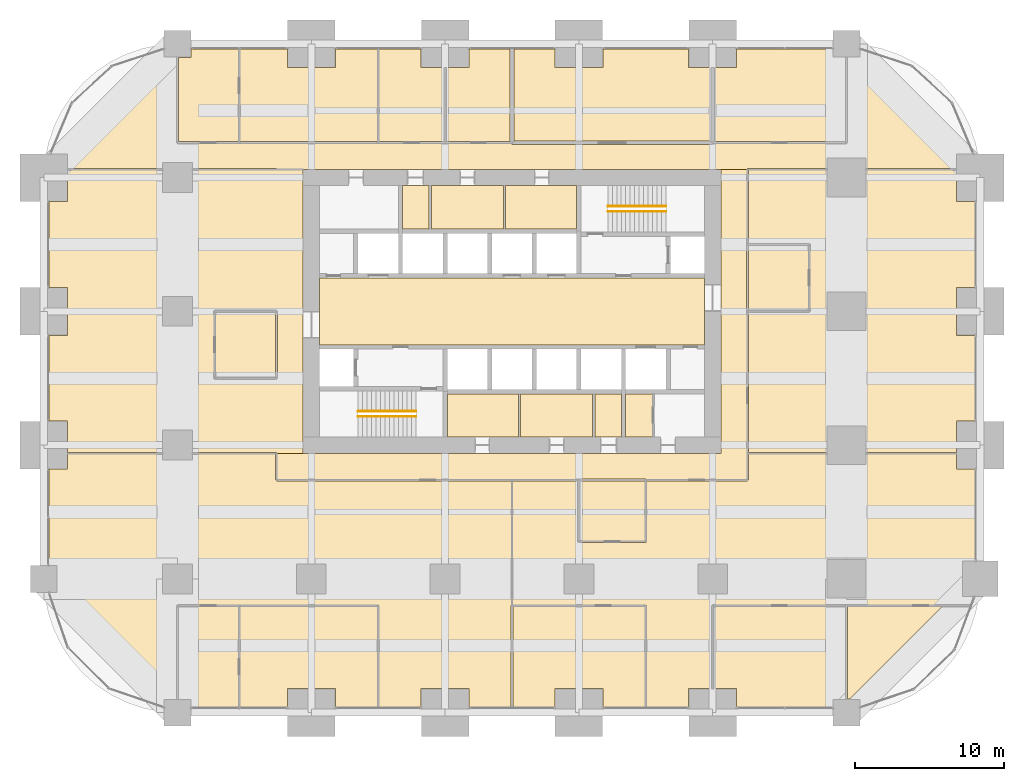
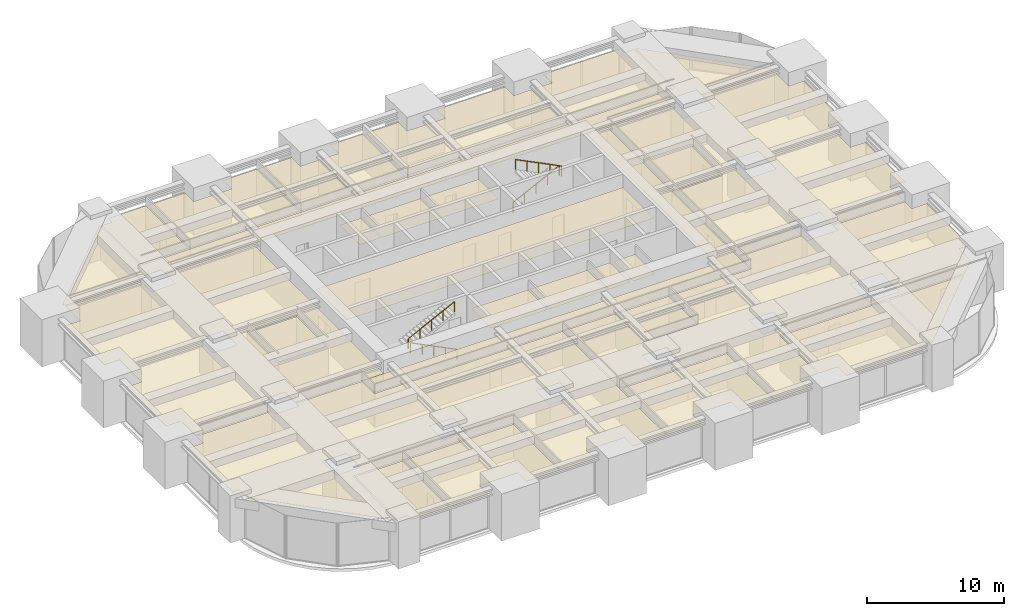
# One storey, part 45 of 45: 28 coverings, 4 railings.
"""IFC4 building model written with IfcOpenShell, lengths in metres."""

from ifc_helpers import new_model, si_unit, direction, frame, origin, origin_2d, place, context, subcontext, project, spatial, polyline, circle, outline, extrude, material, layer, layer_set, type_object, element, save


model = new_model("IFC4")

# Units and contexts
model_context = context("Model", 3, precision=1e-05, world=origin(), true_north=direction((0.0, 1.0)))
body_context = subcontext(model_context, "Body", "Model", "MODEL_VIEW")
ifc_project = project(units=[si_unit("LENGTHUNIT", "METRE"), si_unit("AREAUNIT", "SQUARE_METRE"), si_unit("VOLUMEUNIT", "CUBIC_METRE"), si_unit("PLANEANGLEUNIT", "RADIAN"), si_unit("MASSUNIT", "GRAM", prefix="KILO")], contexts=[model_context])

# Site, building, storey
site_placement = place(None, origin())
site = spatial("IfcSite", under=ifc_project, at=site_placement, CompositionType="ELEMENT")
building_placement = place(site_placement, origin())
building = spatial("IfcBuilding", under=site, at=building_placement, Name="Zorevar Civic Tower", CompositionType="ELEMENT")
storey_placement = place(building_placement, frame((0.0, 0.0, 153.0)))
storey = spatial("IfcBuildingStorey", under=building, at=storey_placement, Name="L37", CompositionType="ELEMENT", Elevation=153.0)

# Railings
ifc_material_1 = material(Name="Black steel handrail", Category="steel")
railing_type = type_object("IfcRailingType", Name="Handrail HR1 900", PredefinedType="HANDRAIL", material=ifc_material_1)
railing_1_placement = place(storey_placement, frame((25.050048828125, 19.925048828125, 0.14990234375)))
element("IfcRailing", 1, at=railing_1_placement, inside=storey, type_object=railing_type, Name="Handrail HR1 ST1 L37", PredefinedType="HANDRAIL", context=body_context, shape_type="SweptSolid", body=[
    extrude(circle(Radius=0.02392578125, at=origin_2d()), frame((0.0, 0.0, 0.8759765625), z_axis=(-0.894415993023, 0.0, 0.447235990752), x_axis=(0.0, -1.0, 0.0)), (0.0, 0.0, 1.0), 4.360595703125),
    extrude(circle(Radius=0.02099609375, at=origin_2d()), origin(), (0.0, 0.0, 1.0), 0.851806640625),
    extrude(circle(Radius=0.02099609375, at=origin_2d()), frame((-0.97509765625, 0.0, 0.487548828125)), (0.0, 0.0, 1.0), 0.851806640625),
    extrude(circle(Radius=0.02099609375, at=origin_2d()), frame((-1.9501953125, 0.0, 0.97509765625)), (0.0, 0.0, 1.0), 0.851806640625),
    extrude(circle(Radius=0.02099609375, at=origin_2d()), frame((-2.925048828125, 0.0, 1.462646484375)), (0.0, 0.0, 1.0), 0.851806640625),
    extrude(circle(Radius=0.02099609375, at=origin_2d()), frame((-3.900146484375, 0.0, 1.9501953125)), (0.0, 0.0, 1.0), 0.851806640625),
])
railing_2_placement = place(storey_placement, frame((21.14990234375, 20.27490234375, 2.25)))
element("IfcRailing", 2, at=railing_2_placement, inside=storey, type_object=railing_type, Name="Handrail HR1 ST1 L37", PredefinedType="HANDRAIL", context=body_context, shape_type="SweptSolid", body=[
    extrude(circle(Radius=0.02392578125, at=origin_2d()), frame((0.0, 0.0, 0.8759765625), z_axis=(0.894438388696, 0.0, 0.447191199406), x_axis=(0.0, 1.0, 0.0)), (0.0, 0.0, 1.0), 4.3603515625),
    extrude(circle(Radius=0.02099609375, at=origin_2d()), origin(), (0.0, 0.0, 1.0), 0.851806640625),
    extrude(circle(Radius=0.02099609375, at=origin_2d()), frame((0.97509765625, 0.0, 0.487548828125)), (0.0, 0.0, 1.0), 0.851806640625),
    extrude(circle(Radius=0.02099609375, at=origin_2d()), frame((1.9501953125, 0.0, 0.97509765625)), (0.0, 0.0, 1.0), 0.851806640625),
    extrude(circle(Radius=0.02099609375, at=origin_2d()), frame((2.925048828125, 0.0, 1.46240234375)), (0.0, 0.0, 1.0), 0.851806640625),
    extrude(circle(Radius=0.02099609375, at=origin_2d()), frame((3.900146484375, 0.0, 1.949951171875)), (0.0, 0.0, 1.0), 0.851806640625),
])
railing_3_placement = place(storey_placement, frame((37.949951171875, 34.074951171875, 0.14990234375)))
element("IfcRailing", 3, at=railing_3_placement, inside=storey, type_object=railing_type, Name="Handrail HR1 ST2 L37", PredefinedType="HANDRAIL", context=body_context, shape_type="SweptSolid", body=[
    extrude(circle(Radius=0.02392578125, at=origin_2d()), frame((0.0, 0.0, 0.8759765625), z_axis=(0.894415993023, 0.0, 0.447235990752), x_axis=(0.0, 1.0, 0.0)), (0.0, 0.0, 1.0), 4.360595703125),
    extrude(circle(Radius=0.02099609375, at=origin_2d()), origin(), (0.0, 0.0, 1.0), 0.851806640625),
    extrude(circle(Radius=0.02099609375, at=origin_2d()), frame((0.97509765625, 0.0, 0.487548828125)), (0.0, 0.0, 1.0), 0.851806640625),
    extrude(circle(Radius=0.02099609375, at=origin_2d()), frame((1.9501953125, 0.0, 0.97509765625)), (0.0, 0.0, 1.0), 0.851806640625),
    extrude(circle(Radius=0.02099609375, at=origin_2d()), frame((2.925048828125, 0.0, 1.462646484375)), (0.0, 0.0, 1.0), 0.851806640625),
    extrude(circle(Radius=0.02099609375, at=origin_2d()), frame((3.900146484375, 0.0, 1.9501953125)), (0.0, 0.0, 1.0), 0.851806640625),
])
railing_4_placement = place(storey_placement, frame((41.85009765625, 33.72509765625, 2.25)))
element("IfcRailing", 4, at=railing_4_placement, inside=storey, type_object=railing_type, Name="Handrail HR1 ST2 L37", PredefinedType="HANDRAIL", context=body_context, shape_type="SweptSolid", body=[
    extrude(circle(Radius=0.02392578125, at=origin_2d()), frame((0.0, 0.0, 0.8759765625), z_axis=(-0.894438388696, 0.0, 0.447191199406), x_axis=(0.0, -1.0, 0.0)), (0.0, 0.0, 1.0), 4.3603515625),
    extrude(circle(Radius=0.02099609375, at=origin_2d()), origin(), (0.0, 0.0, 1.0), 0.851806640625),
    extrude(circle(Radius=0.02099609375, at=origin_2d()), frame((-0.97509765625, 0.0, 0.487548828125)), (0.0, 0.0, 1.0), 0.851806640625),
    extrude(circle(Radius=0.02099609375, at=origin_2d()), frame((-1.9501953125, 0.0, 0.97509765625)), (0.0, 0.0, 1.0), 0.851806640625),
    extrude(circle(Radius=0.02099609375, at=origin_2d()), frame((-2.925048828125, 0.0, 1.46240234375)), (0.0, 0.0, 1.0), 0.851806640625),
    extrude(circle(Radius=0.02099609375, at=origin_2d()), frame((-3.900146484375, 0.0, 1.949951171875)), (0.0, 0.0, 1.0), 0.851806640625),
])

# Coverings
ifc_material_2 = material(Name="Moisture-resistant gypsum board")
ifc_layer_1 = layer(ifc_material_2, 0.012451171875)
ifc_layer_set_1 = layer_set([ifc_layer_1], Name="Moisture-resistant ceiling SC3")
covering_type_1 = type_object("IfcCoveringType", Name="Moisture-resistant ceiling SC3", PredefinedType="CEILING", material=ifc_layer_set_1)
covering_1_placement = place(storey_placement, frame((0.0, 0.0, 3.0)))
element("IfcCovering", 5, at=covering_1_placement, inside=storey, type_object=covering_type_1, Name="Ceiling L37-05", PredefinedType="CEILING", context=body_context, shape_type="SweptSolid", body=[
    extrude(outline(polyline([(31.925048828125, 18.550048828125), (31.925048828125, 21.449951171875), (27.14990234375, 21.449951171875), (27.14990234375, 18.550048828125), (31.925048828125, 18.550048828125)])), origin(), (0.0, 0.0, 1.0), 0.012451171875),
])
covering_2_placement = place(storey_placement, frame((0.0, 0.0, 3.0)))
element("IfcCovering", 6, at=covering_2_placement, inside=storey, type_object=covering_type_1, Name="Ceiling L37-06", PredefinedType="CEILING", context=body_context, shape_type="SweptSolid", body=[
    extrude(outline(polyline([(36.925048828125, 18.550048828125), (36.925048828125, 21.449951171875), (32.074951171875, 21.449951171875), (32.074951171875, 18.550048828125), (36.925048828125, 18.550048828125)])), origin(), (0.0, 0.0, 1.0), 0.012451171875),
])
covering_3_placement = place(storey_placement, frame((0.0, 0.0, 3.0)))
element("IfcCovering", 7, at=covering_3_placement, inside=storey, type_object=covering_type_1, Name="Ceiling L37-07", PredefinedType="CEILING", context=body_context, shape_type="SweptSolid", body=[
    extrude(outline(polyline([(38.85009765625, 18.550048828125), (38.85009765625, 21.449951171875), (37.074951171875, 21.449951171875), (37.074951171875, 18.550048828125), (38.85009765625, 18.550048828125)])), origin(), (0.0, 0.0, 1.0), 0.012451171875),
])
covering_4_placement = place(storey_placement, frame((0.0, 0.0, 3.0)))
element("IfcCovering", 8, at=covering_4_placement, inside=storey, type_object=covering_type_1, Name="Ceiling L37-08", PredefinedType="CEILING", context=body_context, shape_type="SweptSolid", body=[
    extrude(outline(polyline([(35.85009765625, 32.550048828125), (35.85009765625, 35.449951171875), (31.074951171875, 35.449951171875), (31.074951171875, 32.550048828125), (35.85009765625, 32.550048828125)])), origin(), (0.0, 0.0, 1.0), 0.012451171875),
])
covering_5_placement = place(storey_placement, frame((0.0, 0.0, 3.0)))
element("IfcCovering", 9, at=covering_5_placement, inside=storey, type_object=covering_type_1, Name="Ceiling L37-09", PredefinedType="CEILING", context=body_context, shape_type="SweptSolid", body=[
    extrude(outline(polyline([(30.925048828125, 32.550048828125), (30.925048828125, 35.449951171875), (26.074951171875, 35.449951171875), (26.074951171875, 32.550048828125), (30.925048828125, 32.550048828125)])), origin(), (0.0, 0.0, 1.0), 0.012451171875),
])
covering_6_placement = place(storey_placement, frame((0.0, 0.0, 3.0)))
element("IfcCovering", 10, at=covering_6_placement, inside=storey, type_object=covering_type_1, Name="Ceiling L37-10", PredefinedType="CEILING", context=body_context, shape_type="SweptSolid", body=[
    extrude(outline(polyline([(25.925048828125, 32.550048828125), (25.925048828125, 35.449951171875), (24.14990234375, 35.449951171875), (24.14990234375, 32.550048828125), (25.925048828125, 32.550048828125)])), origin(), (0.0, 0.0, 1.0), 0.012451171875),
])
ifc_material_3 = material(Name="Mineral fibre tiles on a concealed grid")
ifc_layer_2 = layer(ifc_material_3, 0.02001953125)
ifc_layer_set_2 = layer_set([ifc_layer_2], Name="Suspended ceiling SC1")
covering_type_2 = type_object("IfcCoveringType", Name="Suspended ceiling SC1", PredefinedType="CEILING", material=ifc_layer_set_2)
covering_7_placement = place(storey_placement, frame((0.0, 0.0, 3.0)))
element("IfcCovering", 11, at=covering_7_placement, inside=storey, type_object=covering_type_2, Name="Ceiling L37-11", PredefinedType="CEILING", context=body_context, shape_type="SweptSolid", body=[
    extrude(outline(polyline([(40.93994140625, 18.550048828125), (40.93994140625, 21.449951171875), (39.14990234375, 21.449951171875), (39.14990234375, 18.550048828125), (40.93994140625, 18.550048828125)])), origin(), (0.0, 0.0, 1.0), 0.02001953125),
])
covering_8_placement = place(storey_placement, frame((0.0, 0.0, 3.0)))
element("IfcCovering", 12, at=covering_8_placement, inside=storey, type_object=covering_type_2, Name="Ceiling L37-16", PredefinedType="CEILING", context=body_context, shape_type="SweptSolid", body=[
    extrude(outline(polyline([(44.449951171875, 24.75), (44.449951171875, 29.25), (18.550048828125, 29.25), (18.550048828125, 24.75), (44.449951171875, 24.75)])), origin(), (0.0, 0.0, 1.0), 0.02001953125),
])
covering_9_placement = place(storey_placement, frame((0.0, 0.0, 3.0)))
element("IfcCovering", 13, at=covering_9_placement, inside=storey, type_object=covering_type_2, Name="Ceiling L37-17", PredefinedType="CEILING", context=body_context, shape_type="SweptSolid", body=[
    extrude(outline(polyline([(9.06005859375, 38.409912109375), (9.06005859375, 44.090087890625), (9.909912109375, 44.090087890625), (9.909912109375, 44.64990234375), (13.090087890625, 44.64990234375), (13.090087890625, 38.409912109375), (9.06005859375, 38.409912109375)])), origin(), (0.0, 0.0, 1.0), 0.02001953125),
])
covering_10_placement = place(storey_placement, frame((0.0, 0.0, 3.0)))
element("IfcCovering", 14, at=covering_10_placement, inside=storey, type_object=covering_type_2, Name="Ceiling L37-18", PredefinedType="CEILING", context=body_context, shape_type="SweptSolid", body=[
    extrude(outline(polyline([(13.2099609375, 38.409912109375), (13.2099609375, 44.64990234375), (16.389892578125, 44.64990234375), (16.389892578125, 43.389892578125), (19.610107421875, 43.389892578125), (19.610107421875, 44.64990234375), (22.43994140625, 44.64990234375), (22.43994140625, 38.409912109375), (13.2099609375, 38.409912109375)])), origin(), (0.0, 0.0, 1.0), 0.02001953125),
])
covering_11_placement = place(storey_placement, frame((0.0, 0.0, 3.0)))
element("IfcCovering", 15, at=covering_11_placement, inside=storey, type_object=covering_type_2, Name="Ceiling L37-19", PredefinedType="CEILING", context=body_context, shape_type="SweptSolid", body=[
    extrude(outline(polyline([(22.56005859375, 38.409912109375), (22.56005859375, 44.64990234375), (25.389892578125, 44.64990234375), (25.389892578125, 43.389892578125), (26.93994140625, 43.389892578125), (26.93994140625, 38.409912109375), (22.56005859375, 38.409912109375)])), origin(), (0.0, 0.0, 1.0), 0.02001953125),
])
covering_12_placement = place(storey_placement, frame((0.0, 0.0, 3.0)))
element("IfcCovering", 16, at=covering_12_placement, inside=storey, type_object=covering_type_2, Name="Ceiling L37-20", PredefinedType="CEILING", context=body_context, shape_type="SweptSolid", body=[
    extrude(outline(polyline([(27.06005859375, 38.409912109375), (27.06005859375, 43.389892578125), (28.610107421875, 43.389892578125), (28.610107421875, 44.64990234375), (31.375, 44.64990234375), (31.375, 38.409912109375), (27.06005859375, 38.409912109375)])), origin(), (0.0, 0.0, 1.0), 0.02001953125),
])
covering_13_placement = place(storey_placement, frame((0.0, 0.0, 3.0)))
element("IfcCovering", 17, at=covering_13_placement, inside=storey, type_object=covering_type_2, Name="Ceiling L37-21", PredefinedType="CEILING", context=body_context, shape_type="SweptSolid", body=[
    extrude(outline(polyline([(34.389892578125, 44.64990234375), (34.389892578125, 43.389892578125), (37.610107421875, 43.389892578125), (37.610107421875, 44.64990234375), (43.389892578125, 44.64990234375), (43.389892578125, 43.389892578125), (44.875, 43.389892578125), (44.875, 38.47509765625), (31.625, 38.47509765625), (31.625, 44.64990234375), (34.389892578125, 44.64990234375)])), origin(), (0.0, 0.0, 1.0), 0.02001953125),
])
covering_14_placement = place(storey_placement, frame((0.0, 0.0, 3.0)))
element("IfcCovering", 18, at=covering_14_placement, inside=storey, type_object=covering_type_2, Name="Ceiling L37-22", PredefinedType="CEILING", context=body_context, shape_type="SweptSolid", body=[
    extrude(outline(polyline([(46.610107421875, 43.389892578125), (46.610107421875, 44.64990234375), (53.090087890625, 44.64990234375), (53.090087890625, 44.090087890625), (53.93994140625, 44.090087890625), (53.93994140625, 38.409912109375), (45.125, 38.409912109375), (45.125, 43.389892578125), (46.610107421875, 43.389892578125)])), origin(), (0.0, 0.0, 1.0), 0.02001953125),
])
covering_15_placement = place(storey_placement, frame((0.0, 0.0, 3.0)))
element("IfcCovering", 19, at=covering_15_placement, inside=storey, type_object=covering_type_2, Name="Ceiling L37-23", PredefinedType="CEILING", context=body_context, shape_type="SweptSolid", body=[
    extrude(outline(polyline([(13.090087890625, 7.139892578125), (13.090087890625, 0.35009765625), (9.909912109375, 0.35009765625), (9.909912109375, 0.909912109375), (9.06005859375, 0.909912109375), (9.06005859375, 7.139892578125), (13.090087890625, 7.139892578125)])), origin(), (0.0, 0.0, 1.0), 0.02001953125),
])
covering_16_placement = place(storey_placement, frame((0.0, 0.0, 3.0)))
element("IfcCovering", 20, at=covering_16_placement, inside=storey, type_object=covering_type_2, Name="Ceiling L37-24", PredefinedType="CEILING", context=body_context, shape_type="SweptSolid", body=[
    extrude(outline(polyline([(22.43994140625, 7.139892578125), (22.43994140625, 0.35009765625), (19.610107421875, 0.35009765625), (19.610107421875, 1.610107421875), (16.389892578125, 1.610107421875), (16.389892578125, 0.35009765625), (13.2099609375, 0.35009765625), (13.2099609375, 7.139892578125), (22.43994140625, 7.139892578125)])), origin(), (0.0, 0.0, 1.0), 0.02001953125),
])
covering_17_placement = place(storey_placement, frame((0.0, 0.0, 3.0)))
element("IfcCovering", 21, at=covering_17_placement, inside=storey, type_object=covering_type_2, Name="Ceiling L37-25", PredefinedType="CEILING", context=body_context, shape_type="SweptSolid", body=[
    extrude(outline(polyline([(40.43994140625, 7.139892578125), (40.43994140625, 0.35009765625), (37.610107421875, 0.35009765625), (37.610107421875, 1.610107421875), (34.389892578125, 1.610107421875), (34.389892578125, 0.35009765625), (31.56005859375, 0.35009765625), (31.56005859375, 7.139892578125), (40.43994140625, 7.139892578125)])), origin(), (0.0, 0.0, 1.0), 0.02001953125),
])
covering_18_placement = place(storey_placement, frame((0.0, 0.0, 3.0)))
element("IfcCovering", 22, at=covering_18_placement, inside=storey, type_object=covering_type_2, Name="Ceiling L37-26", PredefinedType="CEILING", context=body_context, shape_type="SweptSolid", body=[
    extrude(outline(polyline([(46.610107421875, 0.35009765625), (46.610107421875, 1.610107421875), (45.06005859375, 1.610107421875), (45.06005859375, 7.139892578125), (53.93994140625, 7.139892578125), (53.93994140625, 0.909912109375), (53.090087890625, 0.909912109375), (53.090087890625, 0.35009765625), (46.610107421875, 0.35009765625)])), origin(), (0.0, 0.0, 1.0), 0.02001953125),
])
covering_19_placement = place(storey_placement, frame((0.0, 0.0, 3.0)))
element("IfcCovering", 23, at=covering_19_placement, inside=storey, type_object=covering_type_2, Name="Ceiling L37-27", PredefinedType="CEILING", context=body_context, shape_type="SweptSolid", body=[
    extrude(outline(polyline([(36.06005859375, 15.590087890625), (40.43994140625, 15.590087890625), (40.43994140625, 11.550048828125), (36.06005859375, 11.550048828125), (36.06005859375, 15.590087890625)])), origin(), (0.0, 0.0, 1.0), 0.02001953125),
])
covering_20_placement = place(storey_placement, frame((0.0, 0.0, 3.0)))
element("IfcCovering", 24, at=covering_20_placement, inside=storey, type_object=covering_type_2, Name="Ceiling L37-28", PredefinedType="CEILING", context=body_context, shape_type="SweptSolid", body=[
    extrude(outline(polyline([(15.590087890625, 26.93994140625), (15.590087890625, 22.56005859375), (11.56005859375, 22.56005859375), (11.56005859375, 26.93994140625), (15.590087890625, 26.93994140625)])), origin(), (0.0, 0.0, 1.0), 0.02001953125),
])
covering_21_placement = place(storey_placement, frame((0.0, 0.0, 3.0)))
element("IfcCovering", 25, at=covering_21_placement, inside=storey, type_object=covering_type_2, Name="Ceiling L37-29", PredefinedType="CEILING", context=body_context, shape_type="SweptSolid", body=[
    extrude(outline(polyline([(51.43994140625, 27.06005859375), (47.409912109375, 27.06005859375), (47.409912109375, 31.43994140625), (51.43994140625, 31.43994140625), (51.43994140625, 27.06005859375)])), origin(), (0.0, 0.0, 1.0), 0.02001953125),
])
covering_22_placement = place(storey_placement, frame((0.0, 0.0, 3.0)))
element("IfcCovering", 26, at=covering_22_placement, inside=storey, type_object=covering_type_2, Name="Ceiling L37-30", PredefinedType="CEILING", context=body_context, shape_type="SweptSolid", body=[
    extrude(outline(polyline([(54.06005859375, 0.909912109375), (54.06005859375, 7.139892578125), (60.432861328125, 7.139892578125), (54.202880859375, 0.909912109375), (54.06005859375, 0.909912109375)])), origin(), (0.0, 0.0, 1.0), 0.02001953125),
])
covering_23_placement = place(storey_placement, frame((0.0, 0.0, 3.0)))
element("IfcCovering", 27, at=covering_23_placement, inside=storey, type_object=covering_type_2, Name="Ceiling L37-31", PredefinedType="CEILING", context=body_context, shape_type="SweptSolid", body=[
    extrude(outline(polyline([(47.300048828125, 31.5), (47.2900390625, 31.5), (47.2900390625, 27.0), (47.300048828125, 27.0), (47.300048828125, 15.699951171875), (40.5, 15.699951171875), (40.5, 15.7099609375), (36.0, 15.7099609375), (36.0, 15.699951171875), (15.699951171875, 15.699951171875), (15.699951171875, 17.449951171875), (45.550048828125, 17.449951171875), (45.550048828125, 36.550048828125), (47.300048828125, 36.550048828125), (47.300048828125, 31.5)])), origin(), (0.0, 0.0, 1.0), 0.02001953125),
])
covering_24_placement = place(storey_placement, frame((0.0, 0.0, 3.0)))
element("IfcCovering", 28, at=covering_24_placement, inside=storey, type_object=covering_type_2, Name="Ceiling L37-32", PredefinedType="CEILING", context=body_context, shape_type="SweptSolid", body=[
    extrude(outline(polyline([(51.5, 31.56005859375), (47.39990234375, 31.56005859375), (47.39990234375, 36.5), (52.68994140625, 36.5), (52.68994140625, 34.68994140625), (55.31005859375, 34.68994140625), (55.31005859375, 36.5), (61.389892578125, 36.5), (61.389892578125, 34.389892578125), (62.64990234375, 34.389892578125), (62.64990234375, 28.610107421875), (61.389892578125, 28.610107421875), (61.389892578125, 25.389892578125), (62.64990234375, 25.389892578125), (62.64990234375, 19.610107421875), (61.389892578125, 19.610107421875), (61.389892578125, 17.5), (55.31005859375, 17.5), (55.31005859375, 19.31005859375), (52.68994140625, 19.31005859375), (52.68994140625, 17.5), (47.39990234375, 17.5), (47.39990234375, 26.93994140625), (51.5, 26.93994140625), (51.5, 27.0), (51.56005859375, 27.0), (51.56005859375, 31.5), (51.5, 31.5), (51.5, 31.56005859375)]), holes=[polyline([(55.31005859375, 28.31005859375), (52.68994140625, 28.31005859375), (52.68994140625, 25.68994140625), (55.31005859375, 25.68994140625), (55.31005859375, 28.31005859375)])]), origin(), (0.0, 0.0, 1.0), 0.02001953125),
])
covering_25_placement = place(storey_placement, frame((0.0, 0.0, 3.0)))
element("IfcCovering", 29, at=covering_25_placement, inside=storey, type_object=covering_type_2, Name="Ceiling L37-33", PredefinedType="CEILING", context=body_context, shape_type="SweptSolid", body=[
    extrude(outline(polyline([(8.93994140625, 44.090087890625), (8.93994140625, 38.35009765625), (9.0, 38.35009765625), (9.0, 38.2900390625), (31.5, 38.2900390625), (31.5, 38.22509765625), (45.0, 38.22509765625), (45.0, 38.2900390625), (54.0, 38.2900390625), (54.0, 38.35009765625), (54.06005859375, 38.35009765625), (54.06005859375, 44.090087890625), (54.202880859375, 44.090087890625), (61.389892578125, 36.90283203125), (61.389892578125, 36.60009765625), (55.31005859375, 36.60009765625), (55.31005859375, 37.31005859375), (52.68994140625, 37.31005859375), (52.68994140625, 36.60009765625), (47.35009765625, 36.60009765625), (47.35009765625, 36.550048828125), (15.64990234375, 36.550048828125), (15.64990234375, 36.60009765625), (10.010009765625, 36.60009765625), (10.010009765625, 37.010009765625), (7.989990234375, 37.010009765625), (7.989990234375, 36.60009765625), (1.610107421875, 36.60009765625), (1.610107421875, 36.90283203125), (8.797119140625, 44.090087890625), (8.93994140625, 44.090087890625)])), origin(), (0.0, 0.0, 1.0), 0.02001953125),
])
covering_26_placement = place(storey_placement, frame((0.0, 0.0, 3.0)))
element("IfcCovering", 30, at=covering_26_placement, inside=storey, type_object=covering_type_2, Name="Ceiling L37-34", PredefinedType="CEILING", context=body_context, shape_type="SweptSolid", body=[
    extrude(outline(polyline([(0.909912109375, 9.909912109375), (0.35009765625, 9.909912109375), (0.35009765625, 16.389892578125), (1.610107421875, 16.389892578125), (1.610107421875, 17.39990234375), (7.989990234375, 17.39990234375), (7.989990234375, 16.989990234375), (10.010009765625, 16.989990234375), (10.010009765625, 17.39990234375), (15.60009765625, 17.39990234375), (15.60009765625, 15.64990234375), (15.64990234375, 15.64990234375), (15.64990234375, 15.60009765625), (31.449951171875, 15.60009765625), (31.449951171875, 7.199951171875), (31.43994140625, 7.199951171875), (31.43994140625, 0.35009765625), (28.610107421875, 0.35009765625), (28.610107421875, 1.610107421875), (25.389892578125, 1.610107421875), (25.389892578125, 0.35009765625), (22.56005859375, 0.35009765625), (22.56005859375, 7.199951171875), (22.5, 7.199951171875), (22.5, 7.260009765625), (9.0, 7.260009765625), (9.0, 7.199951171875), (8.93994140625, 7.199951171875), (8.93994140625, 0.909912109375), (8.797119140625, 0.909912109375), (0.909912109375, 8.797119140625), (0.909912109375, 9.909912109375)]), holes=[polyline([(7.989990234375, 10.010009765625), (7.989990234375, 7.989990234375), (10.010009765625, 7.989990234375), (10.010009765625, 10.010009765625), (7.989990234375, 10.010009765625)]), polyline([(19.010009765625, 7.989990234375), (19.010009765625, 10.010009765625), (16.989990234375, 10.010009765625), (16.989990234375, 7.989990234375), (19.010009765625, 7.989990234375)]), polyline([(25.989990234375, 10.010009765625), (25.989990234375, 7.989990234375), (28.010009765625, 7.989990234375), (28.010009765625, 10.010009765625), (25.989990234375, 10.010009765625)])]), origin(), (0.0, 0.0, 1.0), 0.02001953125),
])
covering_27_placement = place(storey_placement, frame((0.0, 0.0, 3.0)))
element("IfcCovering", 31, at=covering_27_placement, inside=storey, type_object=covering_type_2, Name="Ceiling L37-35", PredefinedType="CEILING", context=body_context, shape_type="SweptSolid", body=[
    extrude(outline(polyline([(47.39990234375, 15.64990234375), (47.39990234375, 17.39990234375), (52.68994140625, 17.39990234375), (52.68994140625, 16.68994140625), (55.31005859375, 16.68994140625), (55.31005859375, 17.39990234375), (61.389892578125, 17.39990234375), (61.389892578125, 16.389892578125), (62.64990234375, 16.389892578125), (62.64990234375, 10.2099609375), (61.7900390625, 10.2099609375), (61.7900390625, 8.4970703125), (60.552978515625, 7.260009765625), (45.0, 7.260009765625), (45.0, 7.199951171875), (44.93994140625, 7.199951171875), (44.93994140625, 1.610107421875), (43.389892578125, 1.610107421875), (43.389892578125, 0.35009765625), (40.56005859375, 0.35009765625), (40.56005859375, 7.199951171875), (40.5, 7.199951171875), (40.5, 7.260009765625), (31.550048828125, 7.260009765625), (31.550048828125, 15.60009765625), (35.93994140625, 15.60009765625), (35.93994140625, 11.5), (36.0, 11.5), (36.0, 11.449951171875), (40.5, 11.449951171875), (40.5, 11.5), (40.56005859375, 11.5), (40.56005859375, 15.60009765625), (47.35009765625, 15.60009765625), (47.35009765625, 15.64990234375), (47.39990234375, 15.64990234375)]), holes=[polyline([(37.010009765625, 7.989990234375), (37.010009765625, 10.010009765625), (34.989990234375, 10.010009765625), (34.989990234375, 7.989990234375), (37.010009765625, 7.989990234375)]), polyline([(43.989990234375, 10.010009765625), (43.989990234375, 7.989990234375), (46.010009765625, 7.989990234375), (46.010009765625, 10.010009765625), (43.989990234375, 10.010009765625)]), polyline([(55.31005859375, 10.31005859375), (52.68994140625, 10.31005859375), (52.68994140625, 7.68994140625), (55.31005859375, 7.68994140625), (55.31005859375, 10.31005859375)])]), origin(), (0.0, 0.0, 1.0), 0.02001953125),
])
covering_28_placement = place(storey_placement, frame((0.0, 0.0, 3.0)))
element("IfcCovering", 32, at=covering_28_placement, inside=storey, type_object=covering_type_2, Name="Ceiling L37-36", PredefinedType="CEILING", context=body_context, shape_type="SweptSolid", body=[
    extrude(outline(polyline([(0.35009765625, 19.610107421875), (0.35009765625, 25.389892578125), (1.610107421875, 25.389892578125), (1.610107421875, 28.610107421875), (0.35009765625, 28.610107421875), (0.35009765625, 34.389892578125), (1.610107421875, 34.389892578125), (1.610107421875, 36.5), (7.989990234375, 36.5), (7.989990234375, 34.989990234375), (10.010009765625, 34.989990234375), (10.010009765625, 36.5), (15.64990234375, 36.5), (15.64990234375, 36.550048828125), (17.449951171875, 36.550048828125), (17.449951171875, 17.449951171875), (15.64990234375, 17.449951171875), (15.64990234375, 17.5), (10.010009765625, 17.5), (10.010009765625, 19.010009765625), (7.989990234375, 19.010009765625), (7.989990234375, 17.5), (1.610107421875, 17.5), (1.610107421875, 19.610107421875), (0.35009765625, 19.610107421875)]), holes=[polyline([(11.43994140625, 27.0), (11.43994140625, 22.5), (11.5, 22.5), (11.5, 22.43994140625), (15.64990234375, 22.43994140625), (15.64990234375, 22.5), (15.7099609375, 22.5), (15.7099609375, 27.0), (15.64990234375, 27.0), (15.64990234375, 27.06005859375), (11.5, 27.06005859375), (11.5, 27.0), (11.43994140625, 27.0)]), polyline([(7.989990234375, 28.010009765625), (7.989990234375, 25.989990234375), (10.010009765625, 25.989990234375), (10.010009765625, 28.010009765625), (7.989990234375, 28.010009765625)])]), origin(), (0.0, 0.0, 1.0), 0.02001953125),
])

save(model, "model.ifc")
